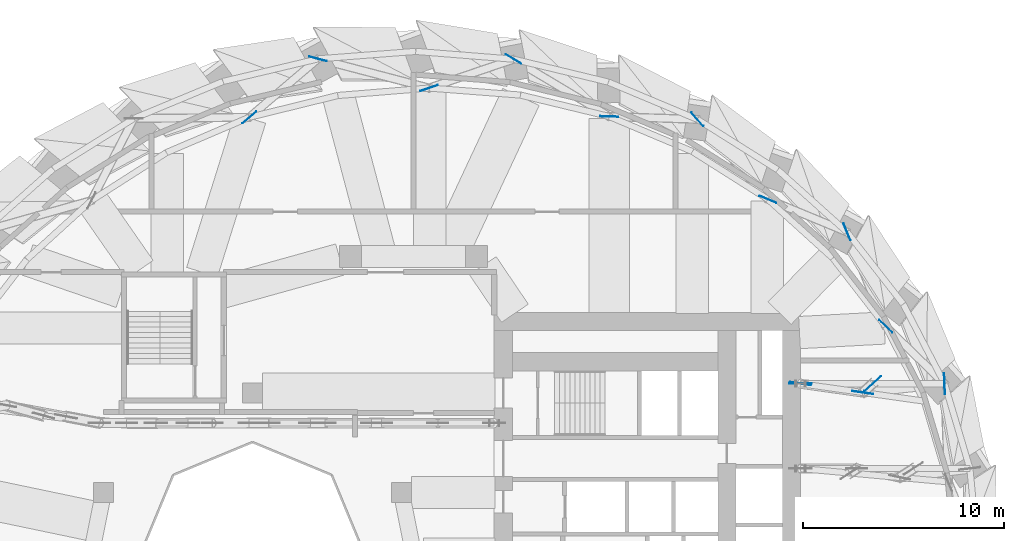
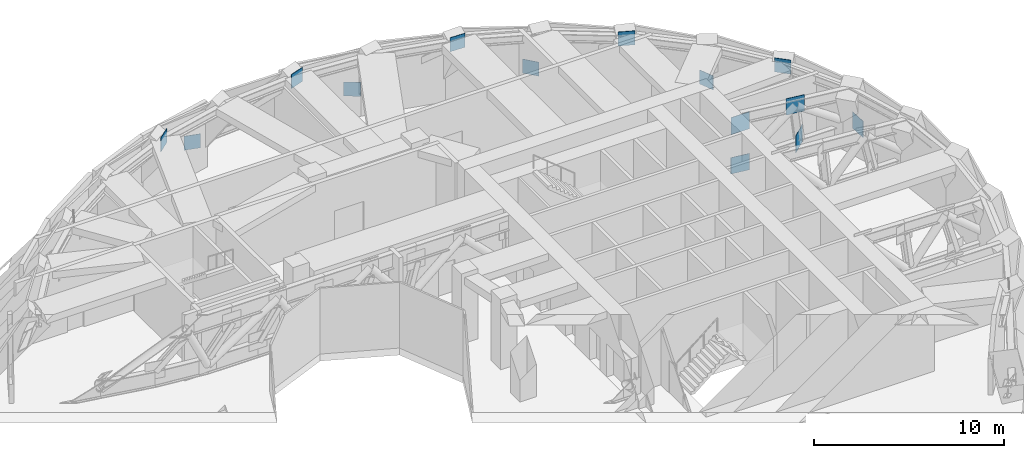
# One storey, part 12 of 15: 14 discrete accessories.
"""IFC4 building model written with IfcOpenShell, lengths in metres."""

from ifc_helpers import new_model, si_unit, direction, frame, origin, origin_2d, place, context, subcontext, project, spatial, rectangle, extrude, material, type_object, element, save


model = new_model("IFC4")

# Units and contexts
model_context = context("Model", 3, precision=1e-05, world=origin(), true_north=direction((0.0, 1.0)))
body_context = subcontext(model_context, "Body", "Model", "MODEL_VIEW")
ifc_project = project(units=[si_unit("LENGTHUNIT", "METRE"), si_unit("AREAUNIT", "SQUARE_METRE"), si_unit("VOLUMEUNIT", "CUBIC_METRE"), si_unit("PLANEANGLEUNIT", "RADIAN"), si_unit("MASSUNIT", "GRAM", prefix="KILO")], contexts=[model_context])

# Site, building, storey
site_placement = place(None, origin())
site = spatial("IfcSite", under=ifc_project, at=site_placement, CompositionType="ELEMENT")
building_placement = place(site_placement, origin())
building = spatial("IfcBuilding", under=site, at=building_placement, Name="Taillehof Tower", CompositionType="ELEMENT")
storey_placement = place(building_placement, frame((0.0, 0.0, 84.39990234375)))
storey = spatial("IfcBuildingStorey", under=building, at=storey_placement, Name="L23", CompositionType="ELEMENT", Elevation=84.39990234375)

# Discrete accessories
ifc_material = material(Name="Steel S460M", Category="steel")
discrete_accessory_type = type_object("IfcDiscreteAccessoryType", Name="Steel gusset plate", PredefinedType="BRACKET", material=ifc_material)
for number, where, z_axis, x_axis, name in (
    (1, (-8.14990234375, 21.679931640625, 3.51025390625), (0.0, 0.0, 1.0), (-0.761398023058, -0.648284698634, 0.0), "Gusset plate 099"),
    (2, (-4.75, 24.580078125, 0.4501953125), (0.0, 0.0, 1.0), (-0.967300961326, 0.253631327358, 0.0), "Gusset plate 100"),
    (3, (0.77001953125, 23.1298828125, 3.51025390625), (0.0, 0.0, 1.0), (-0.946408263247, -0.322972753119, 0.0), "Gusset plate 107"),
    (4, (4.9599609375, 24.570068359375, 0.4501953125), (0.0, 0.0, 1.0), (-0.857775264953, 0.514024897097, 0.0), "Gusset plate 112"),
    (5, (9.7099609375, 21.719970703125, 3.51025390625), (0.0, 0.0, 1.0), (-0.999471588431, 0.032504521511, 0.0), "Gusset plate 115"),
    (6, (14.080078125, 21.580078125, 0.4501953125), (0.0, 0.0, 1.0), (-0.661311865324, 0.75011106963, 0.0), "Gusset plate 117"),
    (7, (17.580078125, 17.610107421875, 3.51025390625), (0.0, 0.0, 1.0), (-0.923960328848, 0.382488314482, 0.0), "Gusset plate 118"),
):
    element("IfcDiscreteAccessory", number, at=place(storey_placement, frame(where, z_axis=z_axis, x_axis=x_axis)), inside=storey, type_object=discrete_accessory_type, Name=name, PredefinedType="BRACKET", context=body_context, shape_type="SweptSolid", body=[
        extrude(rectangle(XDim=0.89990234375, YDim=0.02490234375, at=origin_2d()), origin(), (0.0, 0.0, 1.0), 0.89990234375),
    ])
discrete_accessory_1_placement = place(storey_placement, frame((19.199951171875, 8.4599609375, 0.375), z_axis=(0.0, 0.0, 1.0), x_axis=(0.990220645328, -0.13951011994, 0.0)))
element("IfcDiscreteAccessory", 8, at=discrete_accessory_1_placement, inside=storey, type_object=discrete_accessory_type, Name="Gusset plate 123", PredefinedType="BRACKET", context=body_context, shape_type="SweptSolid", body=[
    extrude(rectangle(XDim=1.050048828125, YDim=0.02490234375, at=origin_2d()), origin(), (0.0, 0.0, 1.0), 1.050048828125),
])
discrete_accessory_2_placement = place(storey_placement, frame((21.510009765625, 15.989990234375, 0.4501953125), z_axis=(0.0, 0.0, 1.0), x_axis=(-0.378979744557, 0.925404967145, 0.0)))
element("IfcDiscreteAccessory", 9, at=discrete_accessory_2_placement, inside=storey, type_object=discrete_accessory_type, Name="Gusset plate 125", PredefinedType="BRACKET", context=body_context, shape_type="SweptSolid", body=[
    extrude(rectangle(XDim=0.89990234375, YDim=0.02490234375, at=origin_2d()), origin(), (0.0, 0.0, 1.0), 0.89990234375),
])
discrete_accessory_3_placement = place(storey_placement, frame((22.2900390625, 8.02001953125, 3.3349609375), z_axis=(0.0, 0.0, 1.0), x_axis=(0.990220645328, -0.13951011994, 0.0)))
element("IfcDiscreteAccessory", 10, at=discrete_accessory_3_placement, inside=storey, type_object=discrete_accessory_type, Name="Gusset plate 128", PredefinedType="BRACKET", context=body_context, shape_type="SweptSolid", body=[
    extrude(rectangle(XDim=1.050048828125, YDim=0.02490234375, at=origin_2d()), origin(), (0.0, 0.0, 1.0), 1.050048828125),
])
discrete_accessory_4_placement = place(storey_placement, frame((23.429931640625, 11.31005859375, 3.51025390625), z_axis=(0.0, 0.0, 1.0), x_axis=(-0.716689117044, 0.697392794278, 0.0)))
element("IfcDiscreteAccessory", 11, at=discrete_accessory_4_placement, inside=storey, type_object=discrete_accessory_type, Name="Gusset plate 130", PredefinedType="BRACKET", context=body_context, shape_type="SweptSolid", body=[
    extrude(rectangle(XDim=0.89990234375, YDim=0.02490234375, at=origin_2d()), origin(), (0.0, 0.0, 1.0), 0.89990234375),
])
discrete_accessory_5_placement = place(storey_placement, frame((26.35009765625, 8.4599609375, 0.375), z_axis=(0.0, 0.0, 1.0), x_axis=(-0.039078440812, 0.999236145995, 0.0)))
element("IfcDiscreteAccessory", 12, at=discrete_accessory_5_placement, inside=storey, type_object=discrete_accessory_type, Name="Gusset plate 135", PredefinedType="BRACKET", context=body_context, shape_type="SweptSolid", body=[
    extrude(rectangle(XDim=1.050048828125, YDim=0.02490234375, at=origin_2d()), origin(), (0.0, 0.0, 1.0), 1.050048828125),
])
for number, where, z_axis, x_axis, name in (
    (13, (19.199951171875, 8.4599609375, 2.949951171875), (0.0, 0.0, 1.0), (1.0, 0.0, 0.0), "Gusset plate 432"),
    (14, (22.780029296875, 8.4599609375, 0.7099609375), (0.0, 0.0, 1.0), (-0.741349505979, -0.671119147383, 0.0), "Gusset plate 433"),
):
    element("IfcDiscreteAccessory", number, at=place(storey_placement, frame(where, z_axis=z_axis, x_axis=x_axis)), inside=storey, type_object=discrete_accessory_type, Name=name, PredefinedType="BRACKET", context=body_context, shape_type="SweptSolid", body=[
        extrude(rectangle(XDim=1.10009765625, YDim=0.02490234375, at=origin_2d()), origin(), (0.0, 0.0, 1.0), 1.10009765625),
    ])

save(model, "model.ifc")
